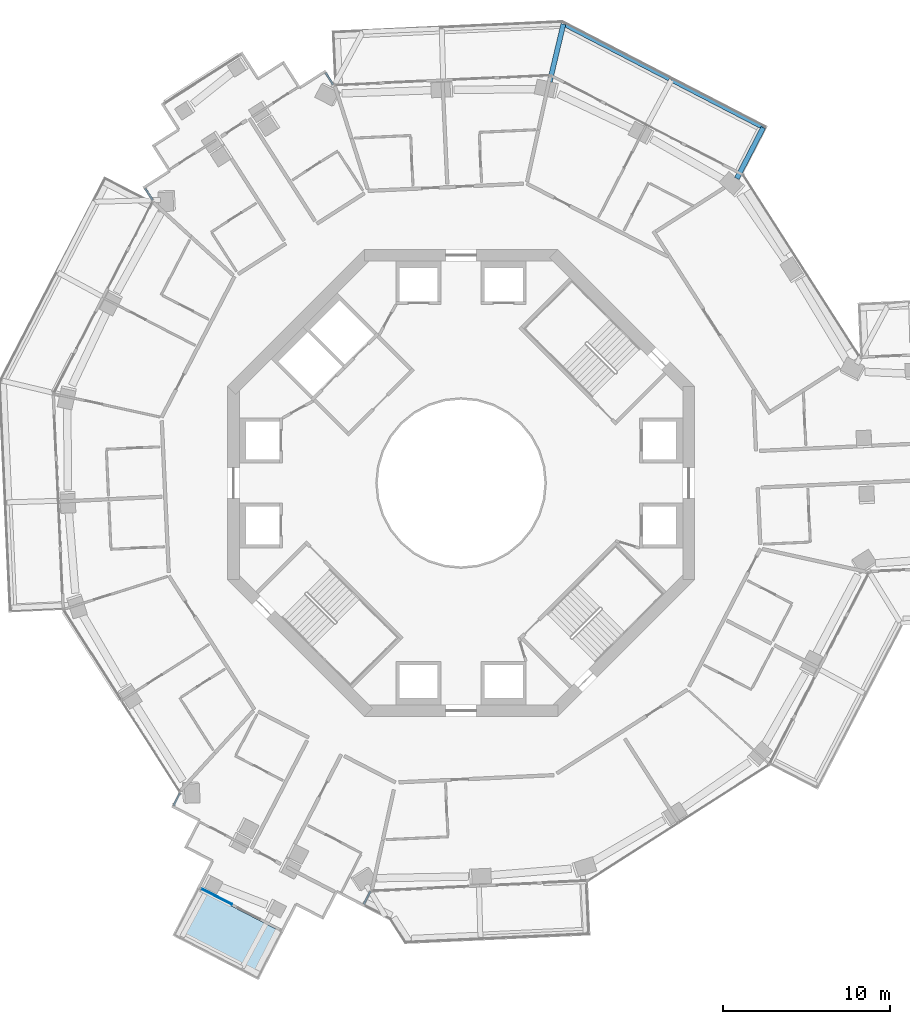
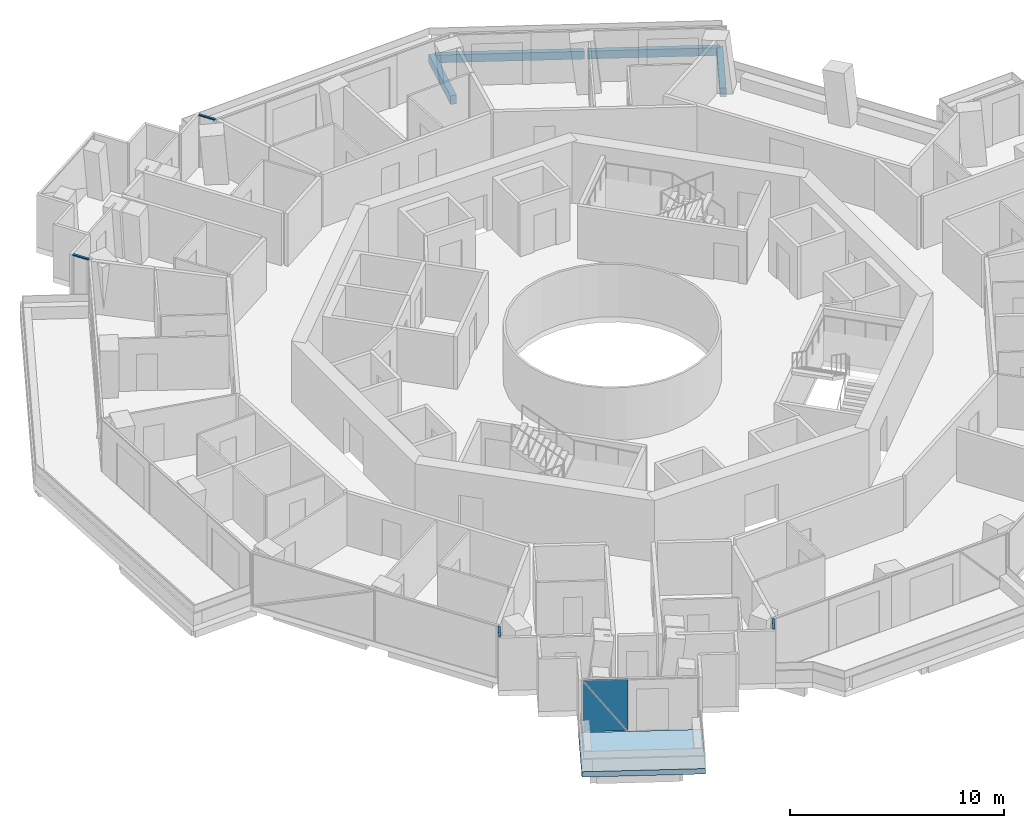
# One storey, part 10 of 22: 4 beams, 4 members, 2 plates, 1 slab, 5 elements without a shape of their own.
"""IFC4 building model written with IfcOpenShell, lengths in metres."""

from ifc_helpers import new_model, si_unit, direction, frame, origin, origin_2d, place, context, subcontext, project, spatial, polyline, rectangle, outline, extrude, material, layer, layer_set, material_profile, profile_set, type_object, element, aggregate, save


model = new_model("IFC4")

# Units and contexts
model_context = context("Model", 3, precision=1e-05, world=origin(), true_north=direction((0.0, 1.0)))
body_context = subcontext(model_context, "Body", "Model", "MODEL_VIEW")
ifc_project = project(units=[si_unit("LENGTHUNIT", "METRE"), si_unit("AREAUNIT", "SQUARE_METRE"), si_unit("VOLUMEUNIT", "CUBIC_METRE"), si_unit("PLANEANGLEUNIT", "RADIAN"), si_unit("MASSUNIT", "GRAM", prefix="KILO")], contexts=[model_context])

# Site, building, storey
site_placement = place(None, origin())
site = spatial("IfcSite", under=ifc_project, at=site_placement, CompositionType="ELEMENT")
building_placement = place(site_placement, origin())
building = spatial("IfcBuilding", under=site, at=building_placement, Name="Verdalira Terraces Hotel", CompositionType="ELEMENT")
storey_placement = place(building_placement, frame((0.0, 0.0, 165.5)))
storey = spatial("IfcBuildingStorey", under=building, at=storey_placement, Name="L40", CompositionType="ELEMENT", Elevation=165.5)

# Beams
ifc_material_1 = material(Name="Concrete C40", Category="concrete")
ifc_material_profile_1 = material_profile(ifc_material_1, rectangle(XDim=0.300049, YDim=0.5, at=origin_2d()), Name="RC 300X500")
ifc_profile_set_1 = profile_set([ifc_material_profile_1], Name="Concrete C40")
beam_type_1 = type_object("IfcBeamType", Name="Balcony cantilever beam RC 300X500 C40", PredefinedType="BEAM", material=ifc_profile_set_1)
beam_1_placement = place(storey_placement, frame((16.541992, 18.267822, -0.560059), z_axis=(0.459606782, 0.888122517, 0.0), x_axis=(-0.888122517, 0.459606782, 0.0)))
element("IfcBeam", 1, at=beam_1_placement, inside=storey, type_object=beam_type_1, Name="Balcony cantilever beam R40-1", PredefinedType="BEAM", context=body_context, shape_type="SweptSolid", body=[
    extrude(rectangle(XDim=0.300049, YDim=0.5, at=origin_2d()), origin(), (0.0, 0.0, 1.0), 3.431396),
])
beam_2_placement = place(storey_placement, frame((5.317139, 24.062012, -0.560059), z_axis=(0.230450989, 0.973083934, 0.0), x_axis=(-0.973083934, 0.230450989, 0.0)))
element("IfcBeam", 2, at=beam_2_placement, inside=storey, type_object=beam_type_1, Name="Balcony cantilever beam R40-3", PredefinedType="BEAM", context=body_context, shape_type="SweptSolid", body=[
    extrude(rectangle(XDim=0.300049, YDim=0.5, at=origin_2d()), origin(), (0.0, 0.0, 1.0), 3.556396),
])
ifc_material_2 = material(Name="Concrete C40", Category="concrete")
ifc_material_profile_2 = material_profile(ifc_material_2, rectangle(XDim=0.25, YDim=0.449951, at=origin_2d()), Name="RC 250X450")
ifc_profile_set_2 = profile_set([ifc_material_profile_2], Name="Concrete C40")
beam_type_2 = type_object("IfcBeamType", Name="Balcony edge beam RC 250X450 C40", PredefinedType="BEAM", material=ifc_profile_set_2)
beam_3_placement = place(storey_placement, frame((18.119141, 21.31543, -0.534912), z_axis=(-0.888135068, 0.45958253, 0.0), x_axis=(-0.45958253, -0.888135068, 0.0)))
element("IfcBeam", 3, at=beam_3_placement, inside=storey, type_object=beam_type_2, Name="Balcony edge beam R40-1", PredefinedType="BEAM", context=body_context, shape_type="SweptSolid", body=[
    extrude(rectangle(XDim=0.25, YDim=0.449951, at=origin_2d()), origin(), (0.0, 0.0, 1.0), 6.199951),
])
beam_4_placement = place(storey_placement, frame((12.479736, 24.233887, -0.534912), z_axis=(-0.887757703, 0.460311048, 0.0), x_axis=(-0.460311048, -0.887757703, 0.0)))
element("IfcBeam", 4, at=beam_4_placement, inside=storey, type_object=beam_type_2, Name="Balcony edge beam R40-2", PredefinedType="BEAM", context=body_context, shape_type="SweptSolid", body=[
    extrude(rectangle(XDim=0.25, YDim=0.449951, at=origin_2d()), origin(), (0.0, 0.0, 1.0), 6.990479),
])

# Curtain wall, member
ifc_material_3 = material(Name="Clear glass", Category="glass")
ifc_layer_1 = layer(ifc_material_3, 0.14990234375)
ifc_layer_set_1 = layer_set([ifc_layer_1], Name="CW2 curtain wall")
curtain_wall_type_1 = type_object("IfcCurtainWallType", Name="CW2 curtain wall", PredefinedType="NOTDEFINED", material=ifc_layer_set_1)
curtain_wall_1_placement = place(storey_placement, origin())
curtain_wall_1 = element("IfcCurtainWall", 5, at=curtain_wall_1_placement, inside=storey, type_object=curtain_wall_type_1, Name="CW2 curtain wall L40 edge 0", PredefinedType="NOTDEFINED")
ifc_material_4 = material(Name="Terracotta frame", Category="masonry")
ifc_material_profile_3 = material_profile(ifc_material_4, rectangle(XDim=0.11499, YDim=0.064941, at=origin_2d()), Name="TR 65x115")
ifc_profile_set_3 = profile_set([ifc_material_profile_3], Name="Terracotta frame")
member_type = type_object("IfcMemberType", Name="CW2 transom 65x115", PredefinedType="USERDEFINED", material=ifc_profile_set_3)
member_1_placement = place(storey_placement, frame((-7.673584, 23.892822, 2.967529), z_axis=(-0.539493821, 0.841989558, 0.0), x_axis=(-0.841989558, -0.539493821, 0.0)))
member_1 = element("IfcMember", 6, at=member_1_placement, type_object=member_type, Name="CW2 transom", ObjectType="TRANSOM", PredefinedType="USERDEFINED", context=body_context, shape_type="SweptSolid", body=[
    extrude(rectangle(XDim=0.11499, YDim=0.064941, at=origin_2d()), origin(), (0.0, 0.0, 1.0), 0.849854),
])
aggregate(curtain_wall_1, [member_1])

curtain_wall_2_placement = place(storey_placement, origin())
curtain_wall_2 = element("IfcCurtainWall", 7, at=curtain_wall_2_placement, inside=storey, type_object=curtain_wall_type_1, Name="CW2 curtain wall L40 edge 10", PredefinedType="NOTDEFINED")
member_2_placement = place(storey_placement, frame((-18.952637, 17.677734, 2.967529), z_axis=(0.539159657, -0.842203577, 0.0), x_axis=(0.842203577, 0.539159657, 0.0)))
member_2 = element("IfcMember", 8, at=member_2_placement, type_object=member_type, Name="CW2 transom", ObjectType="TRANSOM", PredefinedType="USERDEFINED", context=body_context, shape_type="SweptSolid", body=[
    extrude(rectangle(XDim=0.11499, YDim=0.064941, at=origin_2d()), origin(), (0.0, 0.0, 1.0), 0.849854),
])
aggregate(curtain_wall_2, [member_2])

curtain_wall_3_placement = place(storey_placement, origin())
curtain_wall_3 = element("IfcCurtainWall", 9, at=curtain_wall_3_placement, inside=storey, type_object=curtain_wall_type_1, Name="CW2 curtain wall L40 edge 14", PredefinedType="NOTDEFINED")
member_3_placement = place(storey_placement, frame((-16.85498, -18.591797, 2.967529), z_axis=(-0.459461979, -0.888197438, 0.0), x_axis=(0.888197438, -0.459461979, 0.0)))
member_3 = element("IfcMember", 10, at=member_3_placement, type_object=member_type, Name="CW2 transom", ObjectType="TRANSOM", PredefinedType="USERDEFINED", context=body_context, shape_type="SweptSolid", body=[
    extrude(rectangle(XDim=0.11499, YDim=0.064941, at=origin_2d()), origin(), (0.0, 0.0, 1.0), 0.850098),
])
aggregate(curtain_wall_3, [member_3])

curtain_wall_4_placement = place(storey_placement, origin())
curtain_wall_4 = element("IfcCurtainWall", 11, at=curtain_wall_4_placement, inside=storey, type_object=curtain_wall_type_1, Name="CW2 curtain wall L40 edge 24", PredefinedType="NOTDEFINED")
member_4_placement = place(storey_placement, frame((-5.833008, -25.252441, 2.967529), z_axis=(0.459579195, 0.888136793, 0.0), x_axis=(-0.888136793, 0.459579195, 0.0)))
member_4 = element("IfcMember", 12, at=member_4_placement, type_object=member_type, Name="CW2 transom", ObjectType="TRANSOM", PredefinedType="USERDEFINED", context=body_context, shape_type="SweptSolid", body=[
    extrude(rectangle(XDim=0.11499, YDim=0.064941, at=origin_2d()), origin(), (0.0, 0.0, 1.0), 0.849854),
])
aggregate(curtain_wall_4, [member_4])

# Slab
ifc_material_5 = material(Name="Precast concrete C40/50", Category="concrete")
ifc_layer_2 = layer(ifc_material_5, 0.31005859375)
ifc_layer_set_2 = layer_set([ifc_layer_2], Name="Balcony deck 310")
slab_type = type_object("IfcSlabType", Name="Balcony deck 310", PredefinedType="FLOOR", material=ifc_layer_set_2)
slab_placement = place(storey_placement, frame((0.0, 0.0, -0.310059)))
element("IfcSlab", 13, at=slab_placement, inside=storey, type_object=slab_type, Name="Balcony deck", PredefinedType="FLOOR", context=body_context, shape_type="SweptSolid", body=[
    extrude(outline(polyline([(-12.157715, -29.804932), (-10.687012, -26.962891), (-15.838379, -24.297363), (-17.308838, -27.139404), (-12.157715, -29.804932)])), origin(), (0.0, 0.0, 1.0), 0.310059),
])

# Curtain wall, plates
ifc_material_6 = material(Name="Clear glass", Category="glass")
ifc_layer_3 = layer(ifc_material_6, 0.14990234375)
ifc_layer_set_3 = layer_set([ifc_layer_3], Name="CW3 curtain wall")
curtain_wall_type_2 = type_object("IfcCurtainWallType", Name="CW3 curtain wall", PredefinedType="NOTDEFINED", material=ifc_layer_set_3)
curtain_wall_5_placement = place(storey_placement, origin())
curtain_wall_5 = element("IfcCurtainWall", 14, at=curtain_wall_5_placement, inside=storey, type_object=curtain_wall_type_2, Name="CW3 curtain wall L40 edge 19", PredefinedType="NOTDEFINED")
ifc_material_7 = material(Name="Clear glass", Category="glass")
ifc_layer_4 = layer(ifc_material_7, 0.035888671875)
ifc_layer_set_4 = layer_set([ifc_layer_4], Name="CW3 glass unit 36")
plate_type = type_object("IfcPlateType", Name="CW3 glass unit 36", PredefinedType="CURTAIN_PANEL", material=ifc_layer_set_4)
plate_1_placement = place(storey_placement, frame((-14.66748, -24.798584, 1.467529), z_axis=(-0.459579861, -0.888136449, 0.0), x_axis=(0.888136449, -0.459579861, 0.0)))
plate_1 = element("IfcPlate", 15, at=plate_1_placement, type_object=plate_type, Name="CW3 glass unit", PredefinedType="CURTAIN_PANEL", context=body_context, shape_type="SweptSolid", body=[
    extrude(outline(polyline([(-1.040039, -1.467529), (1.040039, -1.467529), (-1.040039, 1.467529), (-1.040039, -1.467529)])), origin(), (0.0, 0.0, 1.0), 0.035889),
])
plate_2_placement = place(storey_placement, frame((-14.650391, -24.765625, 1.467529), z_axis=(-0.459579861, -0.888136449, 0.0), x_axis=(0.888136449, -0.459579861, 0.0)))
plate_2 = element("IfcPlate", 16, at=plate_2_placement, type_object=plate_type, Name="CW3 glass unit", PredefinedType="CURTAIN_PANEL", context=body_context, shape_type="SweptSolid", body=[
    extrude(outline(polyline([(1.040039, -1.467529), (1.040039, 1.467529), (-1.040039, 1.467529), (1.040039, -1.467529)])), origin(), (0.0, 0.0, 1.0), 0.035889),
])
aggregate(curtain_wall_5, [plate_1, plate_2])

save(model, "model.ifc")
